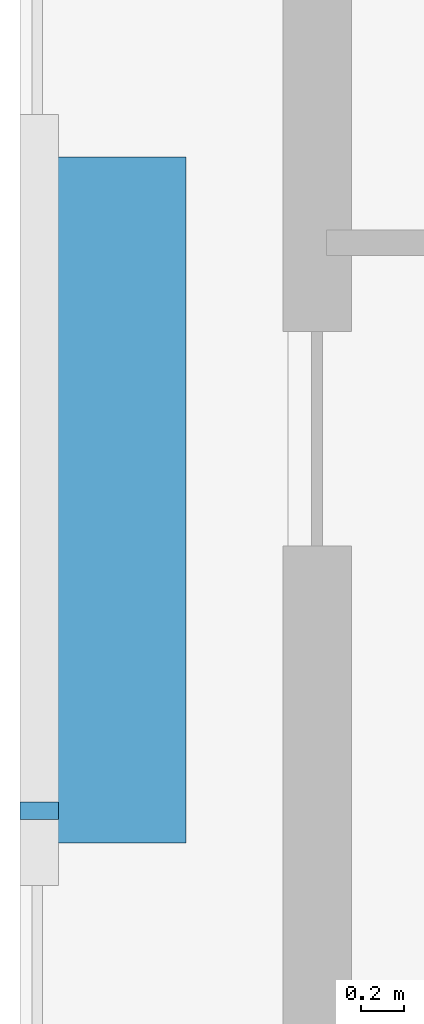
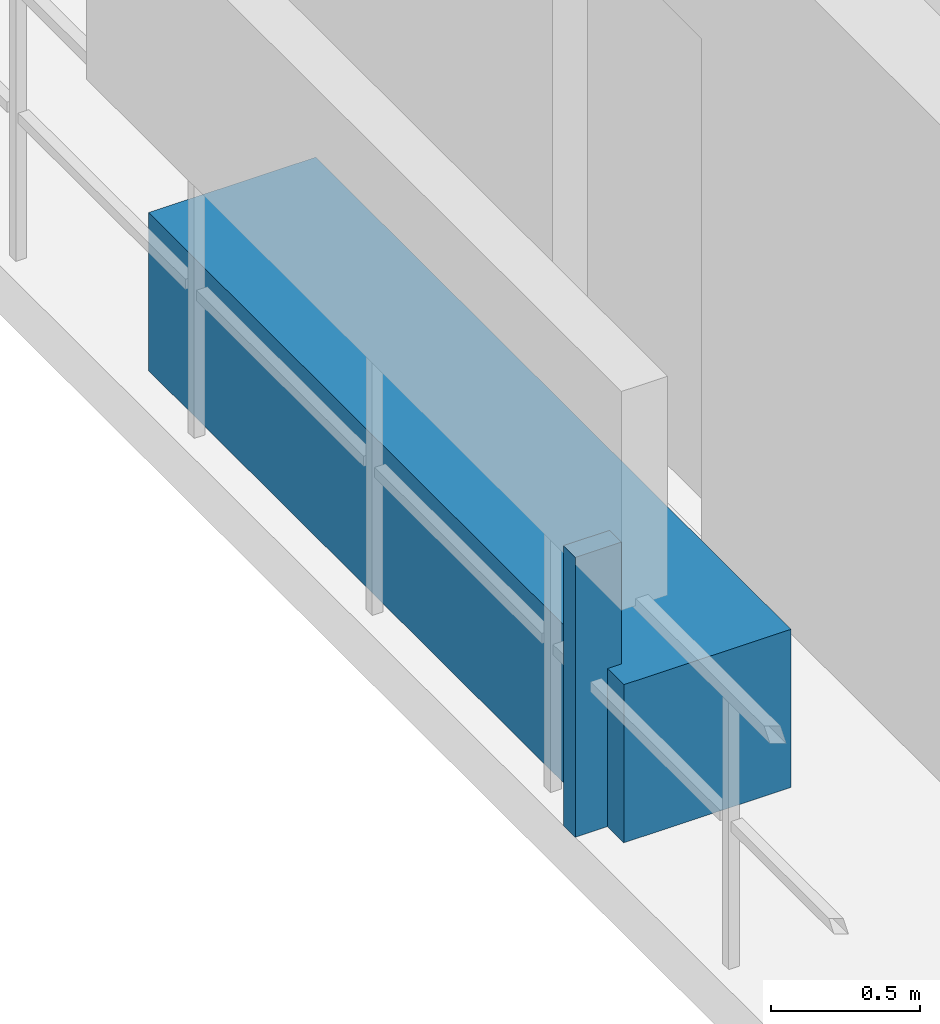
# One storey, part 28 of 33: 2 discrete accessories.
"""IFC4 building model written with IfcOpenShell, lengths in metres."""

from ifc_helpers import new_model, si_unit, direction, frame, origin, origin_2d, place, context, subcontext, project, spatial, rectangle, extrude, material, type_object, element, save


model = new_model("IFC4")

# Units and contexts
model_context = context("Model", 3, precision=1e-05, world=origin(), true_north=direction((0.0, 1.0)))
body_context = subcontext(model_context, "Body", "Model", "MODEL_VIEW")
ifc_project = project(units=[si_unit("LENGTHUNIT", "METRE"), si_unit("AREAUNIT", "SQUARE_METRE"), si_unit("VOLUMEUNIT", "CUBIC_METRE"), si_unit("PLANEANGLEUNIT", "RADIAN"), si_unit("MASSUNIT", "GRAM", prefix="KILO")], contexts=[model_context])

# Site, building, storey
site_placement = place(None, origin())
site = spatial("IfcSite", under=ifc_project, at=site_placement, CompositionType="ELEMENT")
building_placement = place(site_placement, origin())
building = spatial("IfcBuilding", under=site, at=building_placement, Name="Thornwick Lancets Civic Towers", CompositionType="ELEMENT")
storey_placement = place(building_placement, frame((0.0, 0.0, 210.89990234375)))
storey = spatial("IfcBuildingStorey", under=building, at=storey_placement, Name="L56", CompositionType="ELEMENT", Elevation=210.89990234375)

# Discrete accessories
ifc_material_1 = material(Name="Planted terracotta greenery planter", Category="masonry")
discrete_accessory_type_1 = type_object("IfcDiscreteAccessoryType", Name="ACC_PLANTER_BOX", PredefinedType="USERDEFINED", material=ifc_material_1)
discrete_accessory_1_placement = place(storey_placement, frame((0.800048828125, 27.0, 0.000244140625), z_axis=(0.0, 0.0, 1.0), x_axis=(1.0, 0.0, 0.0)))
element("IfcDiscreteAccessory", 1, at=discrete_accessory_1_placement, inside=storey, type_object=discrete_accessory_type_1, Name="L56 Tower A Balcony Greenery Planter W", ObjectType="PLANTER", PredefinedType="USERDEFINED", context=body_context, shape_type="SweptSolid", body=[
    extrude(rectangle(XDim=0.64990234375, YDim=3.199951171875, at=origin_2d()), origin(), (0.0, 0.0, 1.0), 0.64990234375),
])
ifc_material_2 = material(Name="Stainless steel S355", Category="steel")
discrete_accessory_type_2 = type_object("IfcDiscreteAccessoryType", Name="ACC_SCREEN_BRACKET", PredefinedType="BRACKET", material=ifc_material_2)
discrete_accessory_2_placement = place(storey_placement, frame((0.43994140625, 25.550048828125, 0.000244140625), z_axis=(0.0, 0.0, 1.0), x_axis=(0.0, 1.0, 0.0)))
element("IfcDiscreteAccessory", 2, at=discrete_accessory_2_placement, inside=storey, type_object=discrete_accessory_type_2, Name="L56 Tower A Balcony Screen Stanchion Bracket W-1", PredefinedType="BRACKET", context=body_context, shape_type="SweptSolid", body=[
    extrude(rectangle(XDim=0.080078125, YDim=0.179931640625, at=origin_2d()), origin(), (0.0, 0.0, 1.0), 1.14990234375),
])

save(model, "model.ifc")
